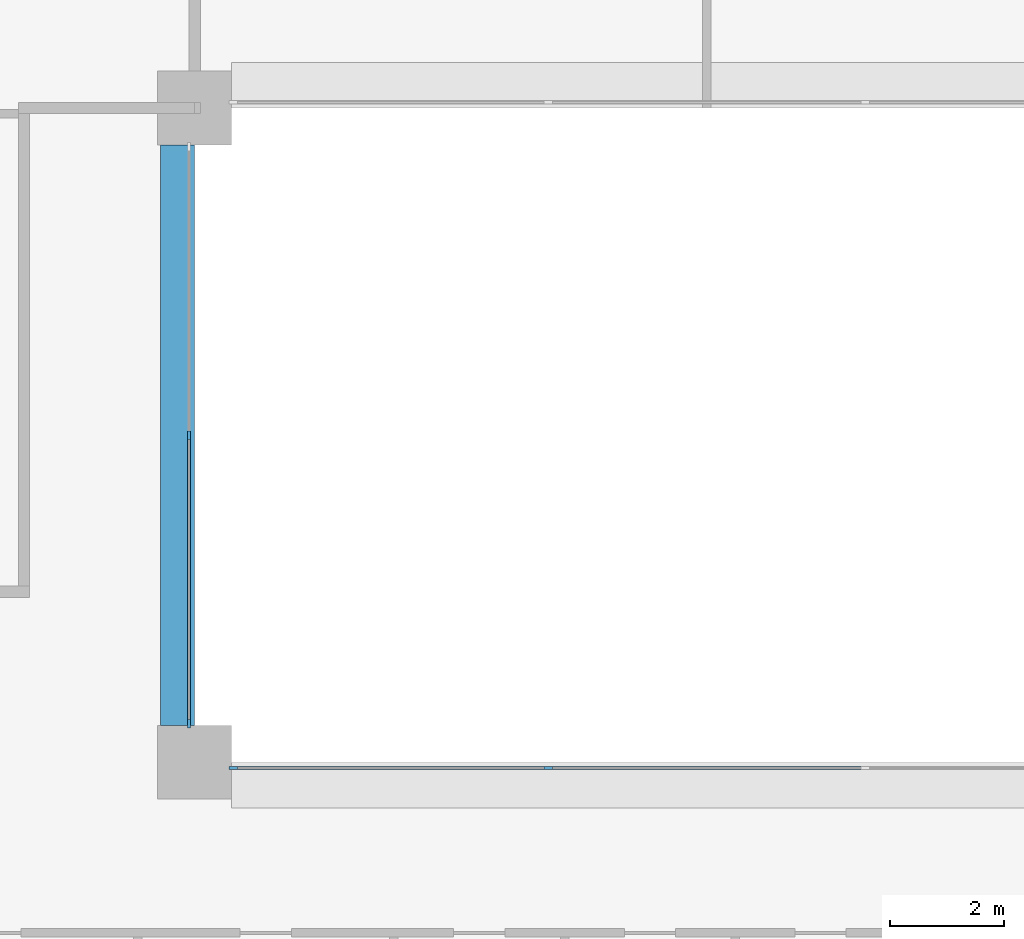
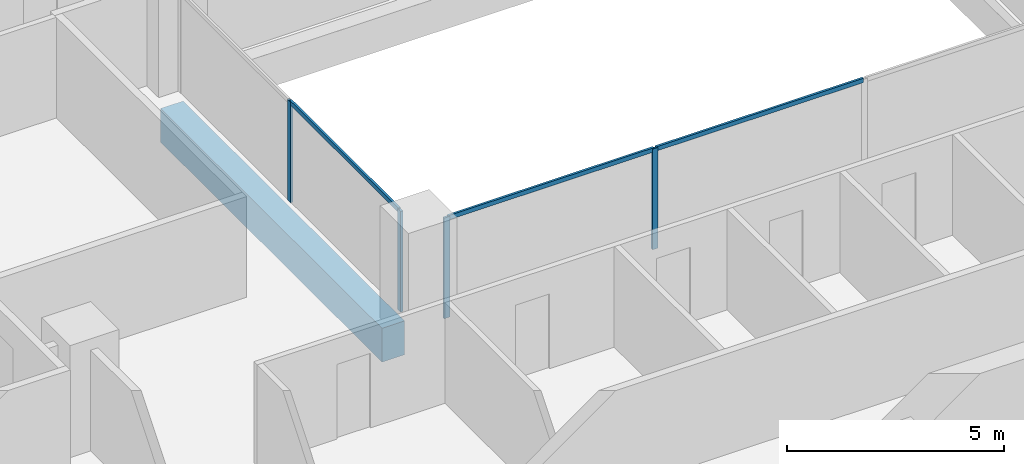
# One storey, part 2 of 16: 7 members, 1 beam, 2 elements without a shape of their own.
"""IFC4 building model written with IfcOpenShell, lengths in metres."""

from ifc_helpers import new_model, si_unit, direction, frame, origin, origin_2d, place, context, subcontext, project, spatial, rectangle, extrude, material, layer, layer_set, material_profile, profile_set, type_object, element, aggregate, save


model = new_model("IFC4")

# Units and contexts
model_context = context("Model", 3, precision=1e-05, world=origin(), true_north=direction((0.0, 1.0)))
body_context = subcontext(model_context, "Body", "Model", "MODEL_VIEW")
ifc_project = project(units=[si_unit("LENGTHUNIT", "METRE"), si_unit("AREAUNIT", "SQUARE_METRE"), si_unit("VOLUMEUNIT", "CUBIC_METRE"), si_unit("PLANEANGLEUNIT", "RADIAN"), si_unit("MASSUNIT", "GRAM", prefix="KILO")], contexts=[model_context])

# Site, building, storey
site_placement = place(None, origin())
site = spatial("IfcSite", under=ifc_project, at=site_placement, CompositionType="ELEMENT")
building_placement = place(site_placement, origin())
building = spatial("IfcBuilding", under=site, at=building_placement, Name="Brigalow Station Residences", CompositionType="ELEMENT")
storey_placement = place(building_placement, frame((0.0, 0.0, 102.449951171875)))
storey = spatial("IfcBuildingStorey", under=building, at=storey_placement, Name="L29", CompositionType="ELEMENT", Elevation=102.449951171875)

# Beam
ifc_material_1 = material(Name="Concrete C65", Category="concrete")
ifc_material_profile_1 = material_profile(ifc_material_1, rectangle(XDim=0.60009765625, YDim=0.949951171875, at=origin_2d()), Name="RC600x950")
ifc_profile_set_1 = profile_set([ifc_material_profile_1], Name="Concrete C65")
beam_type = type_object("IfcBeamType", Name="ATRIUM EDGE GIRDER 600x950 C65", PredefinedType="BEAM", material=ifc_profile_set_1)
beam_placement = place(storey_placement, frame((26.699951171875, 24.64990234375, -0.794921875), z_axis=(0.0, 1.0, 0.0), x_axis=(-1.0, 0.0, 0.0)))
element("IfcBeam", 1, at=beam_placement, inside=storey, type_object=beam_type, Name="ATRIUM EDGE GIRDER 3 L29", PredefinedType="BEAM", context=body_context, shape_type="SweptSolid", body=[
    extrude(rectangle(XDim=0.60009765625, YDim=0.949951171875, at=origin_2d()), origin(), (0.0, 0.0, 1.0), 10.2001953125),
])

# Curtain wall, members
ifc_material_2 = material(Name="Aluminium", Category="aluminium")
ifc_layer = layer(ifc_material_2, 0.14990234375)
ifc_layer_set = layer_set([ifc_layer], Name="ATRIUM FIRE-RATED GLAZING CURTAIN WALL")
curtain_wall_type = type_object("IfcCurtainWallType", Name="ATRIUM FIRE-RATED GLAZING CURTAIN WALL", PredefinedType="NOTDEFINED", material=ifc_layer_set)
curtain_wall_1_placement = place(storey_placement, origin())
curtain_wall_1 = element("IfcCurtainWall", 2, at=curtain_wall_1_placement, inside=storey, type_object=curtain_wall_type, Name="L29/cw/atrium-S", PredefinedType="NOTDEFINED")
ifc_material_3 = material(Name="Aluminium", Category="aluminium")
ifc_material_profile_2 = material_profile(ifc_material_3, rectangle(XDim=0.06005859375, YDim=0.14990234375, at=origin_2d()), Name="ATRIUM FIRE-RATED GLAZING MULLION 60x150")
ifc_profile_set_2 = profile_set([ifc_material_profile_2], Name="Aluminium")
member_type_1 = type_object("IfcMemberType", Name="ATRIUM FIRE-RATED GLAZING MULLION 60x150", PredefinedType="MULLION", material=ifc_profile_set_2)
member_1_placement = place(storey_placement, frame((27.679931640625, 23.89990234375, 0.0), z_axis=(0.0, 0.0, 1.0), x_axis=(0.0, 1.0, 0.0)))
member_1 = element("IfcMember", 3, at=member_1_placement, type_object=member_type_1, Name="L29/cw/atrium-S/M00", PredefinedType="MULLION", context=body_context, shape_type="SweptSolid", body=[
    extrude(rectangle(XDim=0.06005859375, YDim=0.14990234375, at=origin_2d()), origin(), (0.0, 0.0, 1.0), 2.830078125),
])
member_2_placement = place(storey_placement, frame((33.216796875, 23.89990234375, 0.0), z_axis=(0.0, 0.0, 1.0), x_axis=(0.0, 1.0, 0.0)))
member_2 = element("IfcMember", 4, at=member_2_placement, type_object=member_type_1, Name="L29/cw/atrium-S/M01", PredefinedType="MULLION", context=body_context, shape_type="SweptSolid", body=[
    extrude(rectangle(XDim=0.06005859375, YDim=0.14990234375, at=origin_2d()), origin(), (0.0, 0.0, 1.0), 2.830078125),
])

curtain_wall_2_placement = place(storey_placement, origin())
curtain_wall_2 = element("IfcCurtainWall", 5, at=curtain_wall_2_placement, inside=storey, type_object=curtain_wall_type, Name="L29/cw/atrium-W", PredefinedType="NOTDEFINED")
member_3_placement = place(storey_placement, frame((26.89990234375, 29.75, 0.0), z_axis=(0.0, 0.0, 1.0), x_axis=(1.0, 0.0, 0.0)))
member_3 = element("IfcMember", 6, at=member_3_placement, type_object=member_type_1, Name="L29/cw/atrium-W/M01", PredefinedType="MULLION", context=body_context, shape_type="SweptSolid", body=[
    extrude(rectangle(XDim=0.06005859375, YDim=0.14990234375, at=origin_2d()), origin(), (0.0, 0.0, 1.0), 2.830078125),
])
member_4_placement = place(storey_placement, frame((26.89990234375, 24.679931640625, 0.0), z_axis=(0.0, 0.0, 1.0), x_axis=(1.0, 0.0, 0.0)))
member_4 = element("IfcMember", 7, at=member_4_placement, type_object=member_type_1, Name="L29/cw/atrium-W/M02", PredefinedType="MULLION", context=body_context, shape_type="SweptSolid", body=[
    extrude(rectangle(XDim=0.06005859375, YDim=0.14990234375, at=origin_2d()), origin(), (0.0, 0.0, 1.0), 2.830078125),
])

# Member
ifc_material_4 = material(Name="Aluminium", Category="aluminium")
ifc_material_profile_3 = material_profile(ifc_material_4, rectangle(XDim=0.06005859375, YDim=0.1201171875, at=origin_2d()), Name="ATRIUM FIRE-RATED GLAZING TRANSOM 60x120")
ifc_profile_set_3 = profile_set([ifc_material_profile_3], Name="Aluminium")
member_type_2 = type_object("IfcMemberType", Name="ATRIUM FIRE-RATED GLAZING TRANSOM 60x120", PredefinedType="USERDEFINED", material=ifc_profile_set_3)
member_5_placement = place(storey_placement, frame((27.7099609375, 23.89990234375, 2.800048828125), z_axis=(1.0, 0.0, 0.0), x_axis=(0.0, 1.0, 0.0)))
member_5 = element("IfcMember", 8, at=member_5_placement, type_object=member_type_2, Name="L29/cw/atrium-S/T00-00", ObjectType="TRANSOM", PredefinedType="USERDEFINED", context=body_context, shape_type="SweptSolid", body=[
    extrude(rectangle(XDim=0.06005859375, YDim=0.1201171875, at=origin_2d()), origin(), (0.0, 0.0, 1.0), 5.476806640625),
])

member_6_placement = place(storey_placement, frame((33.24658203125, 23.89990234375, 2.800048828125), z_axis=(1.0, 0.0, 0.0), x_axis=(0.0, 1.0, 0.0)))
member_6 = element("IfcMember", 9, at=member_6_placement, type_object=member_type_2, Name="L29/cw/atrium-S/T01-00", ObjectType="TRANSOM", PredefinedType="USERDEFINED", context=body_context, shape_type="SweptSolid", body=[
    extrude(rectangle(XDim=0.06005859375, YDim=0.1201171875, at=origin_2d()), origin(), (0.0, 0.0, 1.0), 5.5068359375),
])

aggregate(curtain_wall_1, [member_1, member_2, member_5, member_6])

member_7_placement = place(storey_placement, frame((26.89990234375, 29.719970703125, 2.800048828125), z_axis=(0.0, -1.0, 0.0), x_axis=(1.0, 0.0, 0.0)))
member_7 = element("IfcMember", 10, at=member_7_placement, type_object=member_type_2, Name="L29/cw/atrium-W/T01-00", ObjectType="TRANSOM", PredefinedType="USERDEFINED", context=body_context, shape_type="SweptSolid", body=[
    extrude(rectangle(XDim=0.06005859375, YDim=0.1201171875, at=origin_2d()), origin(), (0.0, 0.0, 1.0), 5.010009765625),
])

aggregate(curtain_wall_2, [member_3, member_4, member_7])

save(model, "model.ifc")
